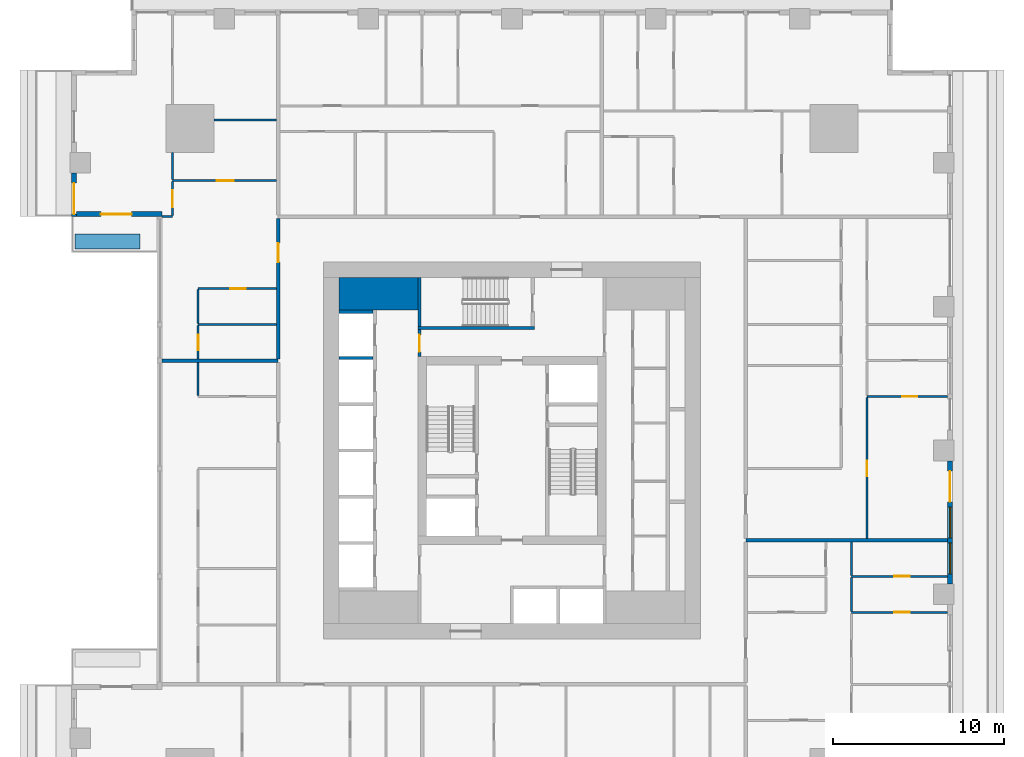
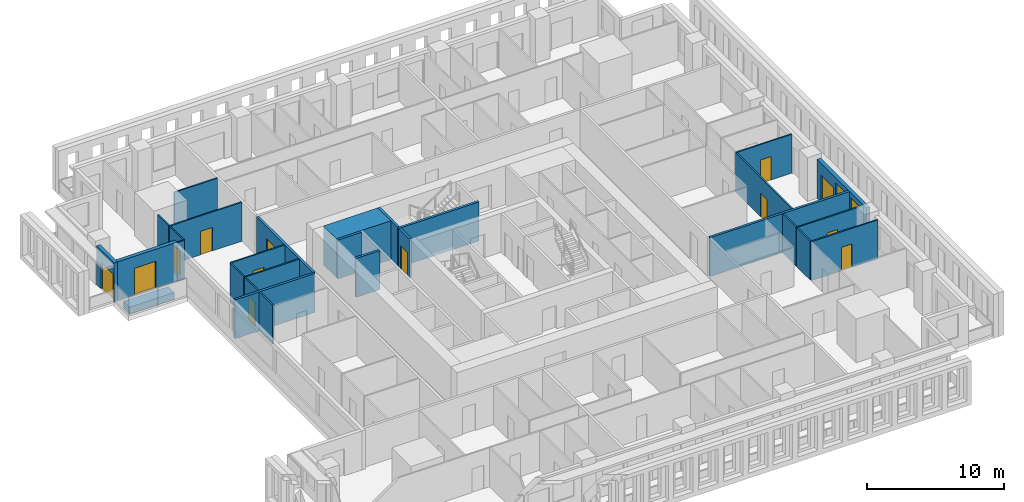
# One storey, part 6 of 15: 29 walls, 13 doors, 2 windows, 15 openings.
"""IFC4 building model written with IfcOpenShell, lengths in metres."""

import ifcopenshell
import ifcopenshell.guid

model = None  # the IFC model being written
_history = None  # IfcOwnerHistory: only IFC2X3 demands one
_inside = {}  # id of a spatial element -> (the spatial element, [elements in it])
_under = {}  # id of a project, library or spatial element -> (it, [spatial elements below it])
_declared = {}  # id of a project -> (the project, [libraries it declares])
_typed = {}  # id of a type object -> (the type object, [elements of that type])
_made_of = {}  # id of a material, layer set ... -> (it, [elements and type objects made of it])


def new_model(schema):
    """Start an empty IFC model of exactly this schema.

    Asked for "IFC4X3", IfcOpenShell would pick the latest addendum, in which some entities
    have other attributes; the version numbers below select the first issue.
    IFC2X3 requires an IfcOwnerHistory on every rooted entity: one is made here for all.
    """
    global model, _history
    if schema == "IFC4X3":
        model = ifcopenshell.file(schema_version=(4, 3, 0, 0))
    else:
        model = ifcopenshell.file(schema=schema)
    _inside.clear()
    _under.clear()
    _declared.clear()
    _typed.clear()
    _made_of.clear()
    _history = None
    if model.schema == "IFC2X3":
        org = make("IfcOrganization", Name="unknown")
        user = make(
            "IfcPersonAndOrganization",
            ThePerson=make("IfcPerson", FamilyName="unknown"),
            TheOrganization=org,
        )
        app = make(
            "IfcApplication",
            ApplicationDeveloper=org,
            Version="unknown",
            ApplicationFullName="unknown",
            ApplicationIdentifier="unknown",
        )
        _history = make(
            "IfcOwnerHistory",
            OwningUser=user,
            OwningApplication=app,
            ChangeAction="ADDED",
            CreationDate=0,
        )
    return model


def make(cls, **values):
    """One entity of the class cls with the attributes given. An attribute that is None is left unset."""
    return model.create_entity(
        cls, **{name: value for name, value in values.items() if value is not None}
    )


def rooted(cls, **values):
    """An entity with a GlobalId (a new one), such as an element, a storey or a relation."""
    return make(cls, GlobalId=ifcopenshell.guid.new(), OwnerHistory=_history, **values)


def si_unit(unit_type, name, prefix=None):
    """IfcSIUnit, for example si_unit("LENGTHUNIT", "METRE", prefix="MILLI")."""
    return make("IfcSIUnit", UnitType=unit_type, Prefix=prefix, Name=name)


def assignment(units):
    """IfcUnitAssignment: the units of a project."""
    return None if units is None else make("IfcUnitAssignment", Units=units)


def point(xyz):
    """IfcCartesianPoint."""
    return None if xyz is None else make("IfcCartesianPoint", Coordinates=xyz)


def direction(xyz):
    """IfcDirection."""
    return None if xyz is None else make("IfcDirection", DirectionRatios=xyz)


def frame(location, z_axis=None, x_axis=None):
    """IfcAxis2Placement3D, a coordinate frame: its origin and axes. An axis left out is left unset."""
    return make(
        "IfcAxis2Placement3D",
        Location=point(location),
        Axis=direction(z_axis),
        RefDirection=direction(x_axis),
    )


def frame_2d(location, x_axis=None):
    """IfcAxis2Placement2D, a coordinate frame in the plane: its origin and x axis."""
    return make(
        "IfcAxis2Placement2D", Location=point(location), RefDirection=direction(x_axis)
    )


def origin():
    """The frame at (0, 0, 0) with its axes left unset."""
    return frame((0.0, 0.0, 0.0))


def place(relative_to, where):
    """IfcLocalPlacement: puts the frame where relative to a parent placement (None: the world)."""
    return make(
        "IfcLocalPlacement", PlacementRelTo=relative_to, RelativePlacement=where
    )


def context(
    kind, dimensions, precision=None, world=None, true_north=None, identifier=None
):
    """IfcGeometricRepresentationContext, for example the 3D "Model" context."""
    return make(
        "IfcGeometricRepresentationContext",
        ContextIdentifier=identifier,
        ContextType=kind,
        CoordinateSpaceDimension=dimensions,
        Precision=precision,
        WorldCoordinateSystem=world,
        TrueNorth=true_north,
    )


def subcontext(parent, identifier, kind, view, scale=None):
    """IfcGeometricRepresentationSubContext, for example "Body" below "Model"."""
    return make(
        "IfcGeometricRepresentationSubContext",
        ContextIdentifier=identifier,
        ContextType=kind,
        ParentContext=parent,
        TargetScale=scale,
        TargetView=view,
    )


def project(units=None, contexts=None):
    """IfcProject with its units and contexts."""
    return rooted(
        "IfcProject",
        Name="project",
        RepresentationContexts=contexts,
        UnitsInContext=assignment(units),
    )


def spatial(cls, under=None, at=None, **own):
    """A site, building, storey or space (cls), placed at a placement, below another one or the project."""
    s = rooted(cls, ObjectPlacement=at, **own)
    if under is not None:
        _under.setdefault(under.id(), (under, []))[1].append(s)
    return s


def profile(cls, at=None, kind="AREA", **sizes):
    """A parametric profile (cls). Its sizes go by their IFC names, for example OverallWidth=200.0."""
    return make(cls, ProfileType=kind, Position=at, **sizes)


def rectangle(**sizes):
    """IfcRectangleProfileDef."""
    return profile("IfcRectangleProfileDef", **sizes)


def extrude(swept, where, along, depth):
    """IfcExtrudedAreaSolid: the profile swept, set in the frame where, extruded along a direction by depth."""
    return make(
        "IfcExtrudedAreaSolid",
        SweptArea=swept,
        Position=where,
        ExtrudedDirection=direction(along),
        Depth=depth,
    )


def shape(context_of_items, identifier, shape_type, items):
    """IfcShapeRepresentation: the items that make up one representation, for example the "Body"."""
    return make(
        "IfcShapeRepresentation",
        ContextOfItems=context_of_items,
        RepresentationIdentifier=identifier,
        RepresentationType=shape_type,
        Items=items,
    )


def material(Name=None, Category=None):
    """IfcMaterial."""
    return make("IfcMaterial", Name=Name, Category=Category)


def layer(
    of_material, thickness, ventilated=None, Name=None, Category=None, Priority=None
):
    """IfcMaterialLayer: one layer of a wall or slab, of a material (None: an air gap)."""
    return make(
        "IfcMaterialLayer",
        Material=of_material,
        LayerThickness=thickness,
        IsVentilated=ventilated,
        Name=Name,
        Category=Category,
        Priority=Priority,
    )


def layer_set(layers, Name=None):
    """IfcMaterialLayerSet."""
    return make("IfcMaterialLayerSet", MaterialLayers=layers, LayerSetName=Name)


def made_of(thing, what):
    """Note that an element or type object is made of a material, layer set ...; save() writes the relation."""
    if what is not None:
        _made_of.setdefault(what.id(), (what, []))[1].append(thing)
    return thing


def type_object(cls, material=None, **own):
    """A type object (cls), such as IfcWallType, which elements share."""
    return made_of(rooted(cls, **own), material)


def element(
    cls,
    number,
    at=None,
    inside=None,
    cuts=None,
    type_object=None,
    material=None,
    context=None,
    identifier="Body",
    shape_type=None,
    held_by="IfcProductDefinitionShape",
    body=None,
    shapes=None,
    **own,
):
    """One element of the class cls, such as IfcWall. Its Tag is "e" and its number.

    at: its placement. inside: the storey or other place that contains it. cuts: it is an
    opening in that element (IfcRelVoidsElement). A single representation is given by context,
    identifier, shape_type and body (its items); several are given by shapes. held_by: the class
    of the entity that holds the representations. save() writes the other relations.
    """
    e = rooted(cls, Tag="e%d" % number, ObjectPlacement=at, **own)
    if body is not None:
        shapes = [shape(context, identifier, shape_type, body)]
    if shapes is not None:
        e.Representation = make(held_by, Representations=shapes)
    if inside is not None:
        _inside.setdefault(inside.id(), (inside, []))[1].append(e)
    if cuts is not None:
        rooted(
            "IfcRelVoidsElement", RelatingBuildingElement=cuts, RelatedOpeningElement=e
        )
    if type_object is not None:
        _typed.setdefault(type_object.id(), (type_object, []))[1].append(e)
    return made_of(e, material)


def fill(opening, filler):
    """IfcRelFillsElement: the door or window that sits in an opening."""
    return rooted(
        "IfcRelFillsElement",
        RelatingOpeningElement=opening,
        RelatedBuildingElement=filler,
    )


def aggregate(whole, parts):
    """IfcRelAggregates: a whole, such as a stair, and the parts it consists of."""
    return rooted("IfcRelAggregates", RelatingObject=whole, RelatedObjects=parts)


def save(model, path):
    """Write the relations noted so far, then the file.

    IfcRelAggregates (storeys below a building ...), IfcRelContainedInSpatialStructure (elements
    in a storey), IfcRelDefinesByType, IfcRelAssociatesMaterial and IfcRelDeclares: one each for
    every whole, place, type object, material and project.
    """
    for whole, parts in _under.values():
        aggregate(whole, parts)
    for where, things in _inside.values():
        rooted(
            "IfcRelContainedInSpatialStructure",
            RelatedElements=things,
            RelatingStructure=where,
        )
    for kind, things in _typed.values():
        rooted("IfcRelDefinesByType", RelatedObjects=things, RelatingType=kind)
    for what, things in _made_of.values():
        rooted("IfcRelAssociatesMaterial", RelatedObjects=things, RelatingMaterial=what)
    for by, libraries in _declared.values():
        rooted("IfcRelDeclares", RelatingContext=by, RelatedDefinitions=libraries)
    model.write(path)


model = new_model("IFC4")

# Units and contexts
model_context = context("Model", 3, precision=1e-05, world=origin(), true_north=direction((0.0, 1.0)))
body_context = subcontext(model_context, "Body", "Model", "MODEL_VIEW")
ifc_project = project(units=[si_unit("LENGTHUNIT", "METRE"), si_unit("AREAUNIT", "SQUARE_METRE"), si_unit("VOLUMEUNIT", "CUBIC_METRE"), si_unit("PLANEANGLEUNIT", "RADIAN"), si_unit("MASSUNIT", "GRAM", prefix="KILO")], contexts=[model_context])

# Site, building, storey
site_placement = place(None, origin())
site = spatial("IfcSite", under=ifc_project, at=site_placement, CompositionType="ELEMENT")
building_placement = place(site_placement, origin())
building = spatial("IfcBuilding", under=site, at=building_placement, Name="Khepri Terraces", CompositionType="ELEMENT")
storey_placement = place(building_placement, frame((0.0, 0.0, 118.199951171875)))
storey = spatial("IfcBuildingStorey", under=building, at=storey_placement, Name="L28", CompositionType="ELEMENT", Elevation=118.199951171875)

# Walls
ifc_material_1 = material(Name="Concrete C70/85", Category="concrete")
ifc_layer_1 = layer(ifc_material_1, 1.89990234375, Name="Concrete C70/85", Category="concrete")
ifc_layer_set_1 = layer_set([ifc_layer_1], Name="Concrete C70/85")
wall_type_1 = type_object("IfcWallType", Name="Core wall 1900 C70/85", PredefinedType="SHEAR", material=ifc_layer_set_1)
wall_1_placement = place(storey_placement, frame((-10.10009765625, 9.14990234375, 0.0), z_axis=(0.0, 0.0, 1.0), x_axis=(1.0, 0.0, 0.0)))
element("IfcWall", 1, at=wall_1_placement, inside=storey, type_object=wall_type_1, Name="Core wall PR03 L28", PredefinedType="SHEAR", context=body_context, shape_type="SweptSolid", body=[
    extrude(rectangle(XDim=4.60009765625, YDim=1.89990234375, at=frame_2d((2.300048828125, 0.0))), origin(), (0.0, 0.0, 1.0), 3.47998046875),
])
ifc_layer_2 = layer(ifc_material_1, 0.199951171875, Name="Concrete C70/85", Category="concrete")
ifc_layer_set_2 = layer_set([ifc_layer_2], Name="Concrete C70/85")
wall_type_2 = type_object("IfcWallType", Name="Core wall 200 C70/85", PredefinedType="SHEAR", material=ifc_layer_set_2)
wall_2_placement = place(storey_placement, frame((-5.5, 7.14990234375, 0.0), z_axis=(0.0, 0.0, 1.0), x_axis=(1.0, 0.0, 0.0)))
element("IfcWall", 2, at=wall_2_placement, inside=storey, type_object=wall_type_2, Name="Core wall ST05 L28", PredefinedType="SHEAR", context=body_context, shape_type="SweptSolid", body=[
    extrude(rectangle(XDim=6.800048828125, YDim=0.199951171875, at=frame_2d((3.39990234375, 0.0))), origin(), (0.0, 0.0, 1.0), 3.47998046875),
])
wall_3_placement = place(storey_placement, frame((-5.39990234375, 7.25, 0.0), z_axis=(0.0, 0.0, 1.0), x_axis=(0.0, 1.0, 0.0)))
element("IfcWall", 3, at=wall_3_placement, inside=storey, type_object=wall_type_2, Name="Core wall ST06 L28", PredefinedType="SHEAR", context=body_context, shape_type="SweptSolid", body=[
    extrude(rectangle(XDim=2.85009765625, YDim=0.199951171875, at=frame_2d((1.425048828125, 0.0))), origin(), (0.0, 0.0, 1.0), 3.47998046875),
])
for number, where, z_axis, x_axis, name in (
    (4, (-10.10009765625, 5.39990234375, 0.0), (0.0, 0.0, 1.0), (1.0, 0.0, 0.0), "Core wall SH19 L28"),
    (5, (-10.10009765625, 8.10009765625, 0.0), (0.0, 0.0, 1.0), (1.0, 0.0, 0.0), "Core wall SH20 L28"),
):
    element("IfcWall", number, at=place(storey_placement, frame(where, z_axis=z_axis, x_axis=x_axis)), inside=storey, type_object=wall_type_2, Name=name, PredefinedType="SHEAR", context=body_context, shape_type="SweptSolid", body=[
        extrude(rectangle(XDim=2.0, YDim=0.199951171875, at=frame_2d((1.0, 0.0))), origin(), (0.0, 0.0, 1.0), 3.47998046875),
    ])

# Wall, opening, door
ifc_material_2 = material(Name="Fire-rated gypsum board partition")
ifc_layer_3 = layer(ifc_material_2, 0.199951171875, Name="Fire-rated gypsum board partition")
ifc_layer_set_3 = layer_set([ifc_layer_3], Name="Fire-rated gypsum board partition")
wall_type_3 = type_object("IfcWallType", Name="WL-CORE-PART-200", PredefinedType="PARTITIONING", material=ifc_layer_set_3)
wall_4_placement = place(storey_placement, frame((-5.39990234375, 5.5, 0.0), z_axis=(0.0, 0.0, 1.0), x_axis=(0.0, 1.0, 0.0)))
wall_4 = element("IfcWall", 6, at=wall_4_placement, inside=storey, type_object=wall_type_3, Name="Core partition PT08 L28", PredefinedType="PARTITIONING", context=body_context, shape_type="SweptSolid", body=[
    extrude(rectangle(XDim=1.550048828125, YDim=0.199951171875, at=frame_2d((0.77490234375, 0.0))), origin(), (0.0, 0.0, 1.0), 3.47998046875),
])
opening_1_placement = place(wall_4_placement, frame((0.25, 0.0, 0.0)))
opening_1 = element("IfcOpeningElement", 7, at=opening_1_placement, cuts=wall_4, Name="Opening L28-C16", PredefinedType="OPENING", context=body_context, shape_type="SweptSolid", body=[
    extrude(rectangle(XDim=1.0, YDim=2.10009765625, at=frame_2d((0.5, 1.050048828125))), frame((0.0, 0.10986328125, 0.0), z_axis=(0.0, -1.0, 0.0), x_axis=(1.0, 0.0, 0.0)), (0.0, 0.0, 1.0), 0.219970703125),
])
ifc_material_3 = material(Name="Painted steel", Category="steel")
door_type_1 = type_object("IfcDoorType", Name="DR-CORE-LOBBY-1000", OperationType="NOTDEFINED", PredefinedType="DOOR", material=ifc_material_3)
door_1_placement = place(opening_1_placement, frame((1.0, 0.0, 0.0), z_axis=(0.0, 0.0, 1.0), x_axis=(-1.0, 0.0, 0.0)))
door_1 = element("IfcDoor", 8, at=door_1_placement, inside=storey, type_object=door_type_1, Name="Lobby door L28-C16", OperationType="SINGLE_SWING_RIGHT", OverallHeight=2.10009765625, OverallWidth=1.0, PredefinedType="DOOR", context=body_context, shape_type="SweptSolid", body=[
    extrude(rectangle(XDim=1.0, YDim=2.10009765625, at=frame_2d((0.5, 1.050048828125))), frame((0.0, 0.02490234375, 0.0), z_axis=(0.0, -1.0, 0.0), x_axis=(1.0, 0.0, 0.0)), (0.0, 0.0, 1.0), 0.050048828125),
])
fill(opening_1, door_1)

# Walls
ifc_material_4 = material(Name="Fire-rated gypsum plasterboard partition, mineral wool")
ifc_layer_4 = layer(ifc_material_4, 0.199951171875, Name="Fire-rated gypsum plasterboard partition, mineral wool")
ifc_layer_set_4 = layer_set([ifc_layer_4], Name="Fire-rated gypsum plasterboard partition, mineral wool")
wall_type_4 = type_object("IfcWallType", Name="WL-CORR-200", PredefinedType="PARTITIONING", material=ifc_layer_set_4)
wall_5_placement = place(storey_placement, frame((13.64990234375, -5.25, 0.0), z_axis=(0.0, 0.0, 1.0), x_axis=(1.0, 0.0, 0.0)))
element("IfcWall", 9, at=wall_5_placement, inside=storey, type_object=wall_type_4, Name="Partition P-043 L28", PredefinedType="PARTITIONING", context=body_context, shape_type="SweptSolid", body=[
    extrude(rectangle(XDim=11.77001953125, YDim=0.199951171875, at=frame_2d((5.885009765625, 0.0))), origin(), (0.0, 0.0, 1.0), 3.47998046875),
])
wall_6_placement = place(storey_placement, frame((-20.419921875, 5.25, 0.0), z_axis=(0.0, 0.0, 1.0), x_axis=(1.0, 0.0, 0.0)))
element("IfcWall", 10, at=wall_6_placement, inside=storey, type_object=wall_type_4, Name="Partition P-055 L28", PredefinedType="PARTITIONING", context=body_context, shape_type="SweptSolid", body=[
    extrude(rectangle(XDim=6.77001953125, YDim=0.199951171875, at=frame_2d((3.385009765625, 0.0))), origin(), (0.0, 0.0, 1.0), 3.47998046875),
])

# Wall, opening, door
wall_7_placement = place(storey_placement, frame((-13.64990234375, 5.35009765625, 0.0), z_axis=(0.0, 0.0, 1.0), x_axis=(0.0, 1.0, 0.0)))
wall_7 = element("IfcWall", 11, at=wall_7_placement, inside=storey, type_object=wall_type_4, Name="Partition P-059 L28", PredefinedType="PARTITIONING", context=body_context, shape_type="SweptSolid", body=[
    extrude(rectangle(XDim=8.199951171875, YDim=0.199951171875, at=frame_2d((4.10009765625, 0.0))), origin(), (0.0, 0.0, 1.0), 3.47998046875),
])
opening_2_placement = place(wall_7_placement, frame((5.64990234375, 0.0, 0.0)))
opening_2 = element("IfcOpeningElement", 12, at=opening_2_placement, cuts=wall_7, Name="Opening D1", PredefinedType="OPENING", context=body_context, shape_type="SweptSolid", body=[
    extrude(rectangle(XDim=1.10009765625, YDim=2.39990234375, at=frame_2d((0.550048828125, 1.199951171875))), frame((0.0, 0.10986328125, 0.0), z_axis=(0.0, -1.0, 0.0), x_axis=(1.0, 0.0, 0.0)), (0.0, 0.0, 1.0), 0.219970703125),
])
ifc_material_5 = material(Name="Solid-core timber door leaf, flat entrance door", Category="wood")
door_type_2 = type_object("IfcDoorType", Name="DR-ENT-1100", OperationType="NOTDEFINED", PredefinedType="DOOR", material=ifc_material_5)
door_2_placement = place(opening_2_placement, origin())
door_2 = element("IfcDoor", 13, at=door_2_placement, inside=storey, type_object=door_type_2, Name="Flat D1 entrance door", OperationType="SINGLE_SWING_RIGHT", OverallHeight=2.39990234375, OverallWidth=1.10009765625, PredefinedType="DOOR", context=body_context, shape_type="SweptSolid", body=[
    extrude(rectangle(XDim=1.10009765625, YDim=2.39990234375, at=frame_2d((0.550048828125, 1.199951171875))), frame((0.0, 0.02490234375, 0.0), z_axis=(0.0, -1.0, 0.0), x_axis=(1.0, 0.0, 0.0)), (0.0, 0.0, 1.0), 0.050048828125),
])
fill(opening_2, door_2)

# Wall, openings, door, windows
ifc_material_6 = material(Name="Precast concrete C50/60 warm stone", Category="masonry")
ifc_layer_5 = layer(ifc_material_6, 0.300048828125, Name="Precast concrete C50/60 warm stone", Category="masonry")
ifc_layer_set_5 = layer_set([ifc_layer_5], Name="Precast concrete C50/60 warm stone")
wall_type_5 = type_object("IfcWallType", Name="WL-EXT-PRECAST-300", PredefinedType="STANDARD", material=ifc_layer_set_5)
wall_8_placement = place(storey_placement, frame((25.570068359375, -7.800048828125, 0.0), z_axis=(0.0, 0.0, 1.0), x_axis=(0.0, 1.0, 0.0)))
wall_8 = element("IfcWall", 14, at=wall_8_placement, inside=storey, type_object=wall_type_5, Name="External wall L28 E", PredefinedType="STANDARD", context=body_context, shape_type="SweptSolid", body=[
    extrude(rectangle(XDim=7.199951171875, YDim=0.300048828125, at=frame_2d((3.60009765625, 0.0))), origin(), (0.0, 0.0, 1.0), 3.47998046875),
])
opening_3_placement = place(wall_8_placement, frame((0.60009765625, 0.0, 0.89990234375)))
opening_3 = element("IfcOpeningElement", 15, at=opening_3_placement, cuts=wall_8, Name="Opening W1", PredefinedType="OPENING", context=body_context, shape_type="SweptSolid", body=[
    extrude(rectangle(XDim=1.800048828125, YDim=2.10009765625, at=frame_2d((0.89990234375, 1.050048828125))), frame((0.0, 0.16015625, 0.0), z_axis=(0.0, -1.0, 0.0), x_axis=(1.0, 0.0, 0.0)), (0.0, 0.0, 1.0), 0.320068359375),
])
opening_4_placement = place(wall_8_placement, frame((2.699951171875, 0.0, 0.89990234375)))
opening_4 = element("IfcOpeningElement", 16, at=opening_4_placement, cuts=wall_8, Name="Opening W1", PredefinedType="OPENING", context=body_context, shape_type="SweptSolid", body=[
    extrude(rectangle(XDim=1.800048828125, YDim=2.10009765625, at=frame_2d((0.89990234375, 1.050048828125))), frame((0.0, 0.16015625, 0.0), z_axis=(0.0, -1.0, 0.0), x_axis=(1.0, 0.0, 0.0)), (0.0, 0.0, 1.0), 0.320068359375),
])
opening_5_placement = place(wall_8_placement, frame((4.800048828125, 0.0, 0.0)))
opening_5 = element("IfcOpeningElement", 17, at=opening_5_placement, cuts=wall_8, Name="Opening ED-L28-04", PredefinedType="OPENING", context=body_context, shape_type="SweptSolid", body=[
    extrude(rectangle(XDim=1.800048828125, YDim=2.39990234375, at=frame_2d((0.89990234375, 1.199951171875))), frame((0.0, 0.16015625, 0.0), z_axis=(0.0, -1.0, 0.0), x_axis=(1.0, 0.0, 0.0)), (0.0, 0.0, 1.0), 0.320068359375),
])
ifc_material_7 = material(Name="Anodised aluminium bronze glazed door", Category="aluminium")
door_type_3 = type_object("IfcDoorType", Name="DR-BAL-SLIDE-1800x2400", OperationType="NOTDEFINED", PredefinedType="DOOR", material=ifc_material_7)
door_3_placement = place(opening_5_placement, origin())
door_3 = element("IfcDoor", 18, at=door_3_placement, inside=storey, type_object=door_type_3, Name="Balcony door L28 E", OperationType="SLIDING_TO_RIGHT", OverallHeight=2.39990234375, OverallWidth=1.800048828125, PredefinedType="DOOR", context=body_context, shape_type="SweptSolid", body=[
    extrude(rectangle(XDim=1.800048828125, YDim=2.39990234375, at=frame_2d((0.89990234375, 1.199951171875))), frame((0.0, 0.02490234375, 0.0), z_axis=(0.0, -1.0, 0.0), x_axis=(1.0, 0.0, 0.0)), (0.0, 0.0, 1.0), 0.050048828125),
])
fill(opening_5, door_3)
ifc_material_8 = material(Name="Clear glass", Category="glass")
window_type = type_object("IfcWindowType", Name="WIN-RES-1800x2100", PartitioningType="SINGLE_PANEL", PredefinedType="WINDOW", material=ifc_material_8)
window_1_placement = place(opening_3_placement, origin())
window_1 = element("IfcWindow", 19, at=window_1_placement, inside=storey, type_object=window_type, Name="Window L28 E", OverallHeight=2.10009765625, OverallWidth=1.800048828125, PartitioningType="SINGLE_PANEL", PredefinedType="WINDOW", context=body_context, shape_type="SweptSolid", body=[
    extrude(rectangle(XDim=1.800048828125, YDim=2.10009765625, at=frame_2d((0.89990234375, 1.050048828125))), frame((0.0, 0.030029296875, 0.0), z_axis=(0.0, -1.0, 0.0), x_axis=(1.0, 0.0, 0.0)), (0.0, 0.0, 1.0), 0.06005859375),
])
fill(opening_3, window_1)
window_2_placement = place(opening_4_placement, origin())
window_2 = element("IfcWindow", 20, at=window_2_placement, inside=storey, type_object=window_type, Name="Window L28 E", OverallHeight=2.10009765625, OverallWidth=1.800048828125, PartitioningType="SINGLE_PANEL", PredefinedType="WINDOW", context=body_context, shape_type="SweptSolid", body=[
    extrude(rectangle(XDim=1.800048828125, YDim=2.10009765625, at=frame_2d((0.89990234375, 1.050048828125))), frame((0.0, 0.030029296875, 0.0), z_axis=(0.0, -1.0, 0.0), x_axis=(1.0, 0.0, 0.0)), (0.0, 0.0, 1.0), 0.06005859375),
])
fill(opening_4, window_2)

# Wall, opening, door
wall_9_placement = place(storey_placement, frame((-25.570068359375, 16.199951171875, 0.0), z_axis=(0.0, 0.0, 1.0), x_axis=(0.0, -1.0, 0.0)))
wall_9 = element("IfcWall", 21, at=wall_9_placement, inside=storey, type_object=wall_type_5, Name="External wall L28 W", PredefinedType="STANDARD", context=body_context, shape_type="SweptSolid", body=[
    extrude(rectangle(XDim=2.550048828125, YDim=0.300048828125, at=frame_2d((1.27490234375, 0.0))), origin(), (0.0, 0.0, 1.0), 3.47998046875),
])
opening_6_placement = place(wall_9_placement, frame((0.60009765625, 0.0, 0.0)))
opening_6 = element("IfcOpeningElement", 22, at=opening_6_placement, cuts=wall_9, Name="Opening ED-L28-16", PredefinedType="OPENING", context=body_context, shape_type="SweptSolid", body=[
    extrude(rectangle(XDim=1.800048828125, YDim=2.39990234375, at=frame_2d((0.89990234375, 1.199951171875))), frame((0.0, 0.16015625, 0.0), z_axis=(0.0, -1.0, 0.0), x_axis=(1.0, 0.0, 0.0)), (0.0, 0.0, 1.0), 0.320068359375),
])
door_4_placement = place(opening_6_placement, origin())
door_4 = element("IfcDoor", 23, at=door_4_placement, inside=storey, type_object=door_type_3, Name="Balcony door L28 W", OperationType="SLIDING_TO_LEFT", OverallHeight=2.39990234375, OverallWidth=1.800048828125, PredefinedType="DOOR", context=body_context, shape_type="SweptSolid", body=[
    extrude(rectangle(XDim=1.800048828125, YDim=2.39990234375, at=frame_2d((0.89990234375, 1.199951171875))), frame((0.0, 0.02490234375, 0.0), z_axis=(0.0, -1.0, 0.0), x_axis=(1.0, 0.0, 0.0)), (0.0, 0.0, 1.0), 0.050048828125),
])
fill(opening_6, door_4)

wall_10_placement = place(storey_placement, frame((-25.419921875, 13.800048828125, 0.0), z_axis=(0.0, 0.0, 1.0), x_axis=(1.0, 0.0, 0.0)))
wall_10 = element("IfcWall", 24, at=wall_10_placement, inside=storey, type_object=wall_type_5, Name="External wall L28 S", PredefinedType="STANDARD", context=body_context, shape_type="SweptSolid", body=[
    extrude(rectangle(XDim=5.0, YDim=0.300048828125, at=frame_2d((2.5, 0.0))), origin(), (0.0, 0.0, 1.0), 3.47998046875),
])
opening_7_placement = place(wall_10_placement, frame((1.419921875, 0.0, 0.0)))
opening_7 = element("IfcOpeningElement", 25, at=opening_7_placement, cuts=wall_10, Name="Opening ED-L28-17", PredefinedType="OPENING", context=body_context, shape_type="SweptSolid", body=[
    extrude(rectangle(XDim=1.800048828125, YDim=2.39990234375, at=frame_2d((0.89990234375, 1.199951171875))), frame((0.0, 0.16015625, 0.0), z_axis=(0.0, -1.0, 0.0), x_axis=(1.0, 0.0, 0.0)), (0.0, 0.0, 1.0), 0.320068359375),
])
door_5_placement = place(opening_7_placement, origin())
door_5 = element("IfcDoor", 26, at=door_5_placement, inside=storey, type_object=door_type_3, Name="Balcony door L28 S", OperationType="SLIDING_TO_LEFT", OverallHeight=2.39990234375, OverallWidth=1.800048828125, PredefinedType="DOOR", context=body_context, shape_type="SweptSolid", body=[
    extrude(rectangle(XDim=1.800048828125, YDim=2.39990234375, at=frame_2d((0.89990234375, 1.199951171875))), frame((0.0, 0.02490234375, 0.0), z_axis=(0.0, -1.0, 0.0), x_axis=(1.0, 0.0, 0.0)), (0.0, 0.0, 1.0), 0.050048828125),
])
fill(opening_7, door_5)

ifc_material_9 = material(Name="Gypsum plasterboard partition")
ifc_layer_6 = layer(ifc_material_9, 0.1201171875, Name="Gypsum plasterboard partition")
ifc_layer_set_6 = layer_set([ifc_layer_6], Name="Gypsum plasterboard partition")
wall_type_6 = type_object("IfcWallType", Name="WL-PART-120", PredefinedType="PARTITIONING", material=ifc_layer_set_6)
wall_11_placement = place(storey_placement, frame((19.820068359375, -9.449951171875, 0.0), z_axis=(0.0, 0.0, 1.0), x_axis=(1.0, 0.0, 0.0)))
wall_11 = element("IfcWall", 27, at=wall_11_placement, inside=storey, type_object=wall_type_6, Name="Partition P-034 L28", PredefinedType="PARTITIONING", context=body_context, shape_type="SweptSolid", body=[
    extrude(rectangle(XDim=5.599853515625, YDim=0.1201171875, at=frame_2d((2.7998046875, 0.0))), origin(), (0.0, 0.0, 1.0), 3.47998046875),
])
opening_8_placement = place(wall_11_placement, frame((2.5, 0.0, 0.0)))
opening_8 = element("IfcOpeningElement", 28, at=opening_8_placement, cuts=wall_11, Name="Opening D3", PredefinedType="OPENING", context=body_context, shape_type="SweptSolid", body=[
    extrude(rectangle(XDim=0.89990234375, YDim=2.10009765625, at=frame_2d((0.449951171875, 1.050048828125))), frame((0.0, 0.070068359375, 0.0), z_axis=(0.0, -1.0, 0.0), x_axis=(1.0, 0.0, 0.0)), (0.0, 0.0, 1.0), 0.14013671875),
])
ifc_material_10 = material(Name="Timber door leaf", Category="wood")
door_type_4 = type_object("IfcDoorType", Name="DR-INT-900", OperationType="NOTDEFINED", PredefinedType="DOOR", material=ifc_material_10)
door_6_placement = place(opening_8_placement, origin())
door_6 = element("IfcDoor", 29, at=door_6_placement, inside=storey, type_object=door_type_4, Name="Door Dressing Room", OperationType="SINGLE_SWING_RIGHT", OverallHeight=2.10009765625, OverallWidth=0.89990234375, PredefinedType="DOOR", context=body_context, shape_type="SweptSolid", body=[
    extrude(rectangle(XDim=0.89990234375, YDim=2.10009765625, at=frame_2d((0.449951171875, 1.050048828125))), frame((0.0, 0.02490234375, 0.0), z_axis=(0.0, -1.0, 0.0), x_axis=(1.0, 0.0, 0.0)), (0.0, 0.0, 1.0), 0.050048828125),
])
fill(opening_8, door_6)

# Wall
wall_12_placement = place(storey_placement, frame((19.820068359375, -9.389892578125, 0.0), z_axis=(0.0, 0.0, 1.0), x_axis=(0.0, 1.0, 0.0)))
element("IfcWall", 30, at=wall_12_placement, inside=storey, type_object=wall_type_6, Name="Partition P-036 L28", PredefinedType="PARTITIONING", context=body_context, shape_type="SweptSolid", body=[
    extrude(rectangle(XDim=1.97998046875, YDim=0.1201171875, at=frame_2d((0.989990234375, 0.0))), origin(), (0.0, 0.0, 1.0), 3.47998046875),
])

# Wall, opening, door
wall_13_placement = place(storey_placement, frame((19.820068359375, -7.35009765625, 0.0), z_axis=(0.0, 0.0, 1.0), x_axis=(1.0, 0.0, 0.0)))
wall_13 = element("IfcWall", 31, at=wall_13_placement, inside=storey, type_object=wall_type_6, Name="Partition P-038 L28", PredefinedType="PARTITIONING", context=body_context, shape_type="SweptSolid", body=[
    extrude(rectangle(XDim=5.599853515625, YDim=0.1201171875, at=frame_2d((2.7998046875, 0.0))), origin(), (0.0, 0.0, 1.0), 3.47998046875),
])
opening_9_placement = place(wall_13_placement, frame((2.5, 0.0, 0.0)))
opening_9 = element("IfcOpeningElement", 32, at=opening_9_placement, cuts=wall_13, Name="Opening D4", PredefinedType="OPENING", context=body_context, shape_type="SweptSolid", body=[
    extrude(rectangle(XDim=0.89990234375, YDim=2.10009765625, at=frame_2d((0.449951171875, 1.050048828125))), frame((0.0, 0.070068359375, 0.0), z_axis=(0.0, -1.0, 0.0), x_axis=(1.0, 0.0, 0.0)), (0.0, 0.0, 1.0), 0.14013671875),
])
ifc_material_11 = material(Name="Timber door leaf, moisture resistant", Category="wood")
door_type_5 = type_object("IfcDoorType", Name="DR-WET-900", OperationType="NOTDEFINED", PredefinedType="DOOR", material=ifc_material_11)
door_7_placement = place(opening_9_placement, origin())
door_7 = element("IfcDoor", 33, at=door_7_placement, inside=storey, type_object=door_type_5, Name="Door Bathroom", OperationType="SINGLE_SWING_RIGHT", OverallHeight=2.10009765625, OverallWidth=0.89990234375, PredefinedType="DOOR", context=body_context, shape_type="SweptSolid", body=[
    extrude(rectangle(XDim=0.89990234375, YDim=2.10009765625, at=frame_2d((0.449951171875, 1.050048828125))), frame((0.0, 0.02490234375, 0.0), z_axis=(0.0, -1.0, 0.0), x_axis=(1.0, 0.0, 0.0)), (0.0, 0.0, 1.0), 0.050048828125),
])
fill(opening_9, door_7)

# Wall
wall_14_placement = place(storey_placement, frame((19.820068359375, -7.2900390625, 0.0), z_axis=(0.0, 0.0, 1.0), x_axis=(0.0, 1.0, 0.0)))
element("IfcWall", 34, at=wall_14_placement, inside=storey, type_object=wall_type_6, Name="Partition P-040 L28", PredefinedType="PARTITIONING", context=body_context, shape_type="SweptSolid", body=[
    extrude(rectangle(XDim=1.93994140625, YDim=0.1201171875, at=frame_2d((0.969970703125, 0.0))), origin(), (0.0, 0.0, 1.0), 3.47998046875),
])

# Wall, opening, door
wall_15_placement = place(storey_placement, frame((20.719970703125, -5.14990234375, 0.0), z_axis=(0.0, 0.0, 1.0), x_axis=(0.0, 1.0, 0.0)))
wall_15 = element("IfcWall", 35, at=wall_15_placement, inside=storey, type_object=wall_type_6, Name="Partition P-045 L28", PredefinedType="PARTITIONING", context=body_context, shape_type="SweptSolid", body=[
    extrude(rectangle(XDim=8.239990234375, YDim=0.1201171875, at=frame_2d((4.1201171875, 0.0))), origin(), (0.0, 0.0, 1.0), 3.47998046875),
])
opening_10_placement = place(wall_15_placement, frame((3.64990234375, 0.0, 0.0)))
opening_10 = element("IfcOpeningElement", 36, at=opening_10_placement, cuts=wall_15, Name="Opening D3", PredefinedType="OPENING", context=body_context, shape_type="SweptSolid", body=[
    extrude(rectangle(XDim=0.89990234375, YDim=2.10009765625, at=frame_2d((0.449951171875, 1.050048828125))), frame((0.0, 0.070068359375, 0.0), z_axis=(0.0, -1.0, 0.0), x_axis=(1.0, 0.0, 0.0)), (0.0, 0.0, 1.0), 0.14013671875),
])
door_8_placement = place(opening_10_placement, frame((0.89990234375, 0.0, 0.0), z_axis=(0.0, 0.0, 1.0), x_axis=(-1.0, 0.0, 0.0)))
door_8 = element("IfcDoor", 37, at=door_8_placement, inside=storey, type_object=door_type_4, Name="Door Master Bedroom", OperationType="SINGLE_SWING_RIGHT", OverallHeight=2.10009765625, OverallWidth=0.89990234375, PredefinedType="DOOR", context=body_context, shape_type="SweptSolid", body=[
    extrude(rectangle(XDim=0.89990234375, YDim=2.10009765625, at=frame_2d((0.449951171875, 1.050048828125))), frame((0.0, 0.02490234375, 0.0), z_axis=(0.0, -1.0, 0.0), x_axis=(1.0, 0.0, 0.0)), (0.0, 0.0, 1.0), 0.050048828125),
])
fill(opening_10, door_8)

wall_16_placement = place(storey_placement, frame((20.719970703125, 3.14990234375, 0.0), z_axis=(0.0, 0.0, 1.0), x_axis=(1.0, 0.0, 0.0)))
wall_16 = element("IfcWall", 38, at=wall_16_placement, inside=storey, type_object=wall_type_6, Name="Partition P-050 L28", PredefinedType="PARTITIONING", context=body_context, shape_type="SweptSolid", body=[
    extrude(rectangle(XDim=4.699951171875, YDim=0.1201171875, at=frame_2d((2.35009765625, 0.0))), origin(), (0.0, 0.0, 1.0), 3.47998046875),
])
opening_11_placement = place(wall_16_placement, frame((2.050048828125, 0.0, 0.0)))
opening_11 = element("IfcOpeningElement", 39, at=opening_11_placement, cuts=wall_16, Name="Opening D3", PredefinedType="OPENING", context=body_context, shape_type="SweptSolid", body=[
    extrude(rectangle(XDim=0.89990234375, YDim=2.10009765625, at=frame_2d((0.449951171875, 1.050048828125))), frame((0.0, 0.070068359375, 0.0), z_axis=(0.0, -1.0, 0.0), x_axis=(1.0, 0.0, 0.0)), (0.0, 0.0, 1.0), 0.14013671875),
])
door_9_placement = place(opening_11_placement, origin())
door_9 = element("IfcDoor", 40, at=door_9_placement, inside=storey, type_object=door_type_4, Name="Door Dressing Room", OperationType="SINGLE_SWING_RIGHT", OverallHeight=2.10009765625, OverallWidth=0.89990234375, PredefinedType="DOOR", context=body_context, shape_type="SweptSolid", body=[
    extrude(rectangle(XDim=0.89990234375, YDim=2.10009765625, at=frame_2d((0.449951171875, 1.050048828125))), frame((0.0, 0.02490234375, 0.0), z_axis=(0.0, -1.0, 0.0), x_axis=(1.0, 0.0, 0.0)), (0.0, 0.0, 1.0), 0.050048828125),
])
fill(opening_11, door_9)

# Wall
wall_17_placement = place(storey_placement, frame((-18.320068359375, 3.2099609375, 0.0), z_axis=(0.0, 0.0, 1.0), x_axis=(0.0, 1.0, 0.0)))
element("IfcWall", 41, at=wall_17_placement, inside=storey, type_object=wall_type_6, Name="Partition P-051 L28", PredefinedType="PARTITIONING", context=body_context, shape_type="SweptSolid", body=[
    extrude(rectangle(XDim=1.93994140625, YDim=0.1201171875, at=frame_2d((0.969970703125, 0.0))), origin(), (0.0, 0.0, 1.0), 3.47998046875),
])

# Wall, opening, door
wall_18_placement = place(storey_placement, frame((-18.320068359375, 5.35009765625, 0.0), z_axis=(0.0, 0.0, 1.0), x_axis=(0.0, 1.0, 0.0)))
wall_18 = element("IfcWall", 42, at=wall_18_placement, inside=storey, type_object=wall_type_6, Name="Partition P-058 L28", PredefinedType="PARTITIONING", context=body_context, shape_type="SweptSolid", body=[
    extrude(rectangle(XDim=1.93994140625, YDim=0.1201171875, at=frame_2d((0.969970703125, 0.0))), origin(), (0.0, 0.0, 1.0), 3.47998046875),
])
opening_12_placement = place(wall_18_placement, frame((0.5, 0.0, 0.0)))
opening_12 = element("IfcOpeningElement", 43, at=opening_12_placement, cuts=wall_18, Name="Opening D3", PredefinedType="OPENING", context=body_context, shape_type="SweptSolid", body=[
    extrude(rectangle(XDim=0.89990234375, YDim=2.10009765625, at=frame_2d((0.449951171875, 1.050048828125))), frame((0.0, 0.070068359375, 0.0), z_axis=(0.0, -1.0, 0.0), x_axis=(1.0, 0.0, 0.0)), (0.0, 0.0, 1.0), 0.14013671875),
])
door_10_placement = place(opening_12_placement, frame((0.89990234375, 0.0, 0.0), z_axis=(0.0, 0.0, 1.0), x_axis=(-1.0, 0.0, 0.0)))
door_10 = element("IfcDoor", 44, at=door_10_placement, inside=storey, type_object=door_type_4, Name="Door Kitchen", OperationType="SINGLE_SWING_RIGHT", OverallHeight=2.10009765625, OverallWidth=0.89990234375, PredefinedType="DOOR", context=body_context, shape_type="SweptSolid", body=[
    extrude(rectangle(XDim=0.89990234375, YDim=2.10009765625, at=frame_2d((0.449951171875, 1.050048828125))), frame((0.0, 0.02490234375, 0.0), z_axis=(0.0, -1.0, 0.0), x_axis=(1.0, 0.0, 0.0)), (0.0, 0.0, 1.0), 0.050048828125),
])
fill(opening_12, door_10)

# Walls
wall_19_placement = place(storey_placement, frame((-18.320068359375, 7.35009765625, 0.0), z_axis=(0.0, 0.0, 1.0), x_axis=(1.0, 0.0, 0.0)))
element("IfcWall", 45, at=wall_19_placement, inside=storey, type_object=wall_type_6, Name="Partition P-060 L28", PredefinedType="PARTITIONING", context=body_context, shape_type="SweptSolid", body=[
    extrude(rectangle(XDim=4.570068359375, YDim=0.1201171875, at=frame_2d((2.28515625, 0.0))), origin(), (0.0, 0.0, 1.0), 3.47998046875),
])
wall_20_placement = place(storey_placement, frame((-18.320068359375, 7.409912109375, 0.0), z_axis=(0.0, 0.0, 1.0), x_axis=(0.0, 1.0, 0.0)))
element("IfcWall", 46, at=wall_20_placement, inside=storey, type_object=wall_type_6, Name="Partition P-063 L28", PredefinedType="PARTITIONING", context=body_context, shape_type="SweptSolid", body=[
    extrude(rectangle(XDim=1.97998046875, YDim=0.1201171875, at=frame_2d((0.989990234375, 0.0))), origin(), (0.0, 0.0, 1.0), 3.47998046875),
])

# Wall, opening, door
wall_21_placement = place(storey_placement, frame((-18.320068359375, 9.449951171875, 0.0), z_axis=(0.0, 0.0, 1.0), x_axis=(1.0, 0.0, 0.0)))
wall_21 = element("IfcWall", 47, at=wall_21_placement, inside=storey, type_object=wall_type_6, Name="Partition P-066 L28", PredefinedType="PARTITIONING", context=body_context, shape_type="SweptSolid", body=[
    extrude(rectangle(XDim=4.570068359375, YDim=0.1201171875, at=frame_2d((2.28515625, 0.0))), origin(), (0.0, 0.0, 1.0), 3.47998046875),
])
opening_13_placement = place(wall_21_placement, frame((1.885009765625, 0.0, 0.0)))
opening_13 = element("IfcOpeningElement", 48, at=opening_13_placement, cuts=wall_21, Name="Opening D4", PredefinedType="OPENING", context=body_context, shape_type="SweptSolid", body=[
    extrude(rectangle(XDim=0.89990234375, YDim=2.10009765625, at=frame_2d((0.449951171875, 1.050048828125))), frame((0.0, 0.070068359375, 0.0), z_axis=(0.0, -1.0, 0.0), x_axis=(1.0, 0.0, 0.0)), (0.0, 0.0, 1.0), 0.14013671875),
])
door_11_placement = place(opening_13_placement, frame((0.89990234375, 0.0, 0.0), z_axis=(0.0, 0.0, 1.0), x_axis=(-1.0, 0.0, 0.0)))
door_11 = element("IfcDoor", 49, at=door_11_placement, inside=storey, type_object=door_type_5, Name="Door Guest Bathroom", OperationType="SINGLE_SWING_LEFT", OverallHeight=2.10009765625, OverallWidth=0.89990234375, PredefinedType="DOOR", context=body_context, shape_type="SweptSolid", body=[
    extrude(rectangle(XDim=0.89990234375, YDim=2.10009765625, at=frame_2d((0.449951171875, 1.050048828125))), frame((0.0, 0.02490234375, 0.0), z_axis=(0.0, -1.0, 0.0), x_axis=(1.0, 0.0, 0.0)), (0.0, 0.0, 1.0), 0.050048828125),
])
fill(opening_13, door_11)

# Wall
wall_22_placement = place(storey_placement, frame((-20.419921875, 13.64990234375, 0.0), z_axis=(0.0, 0.0, 1.0), x_axis=(1.0, 0.0, 0.0)))
element("IfcWall", 50, at=wall_22_placement, inside=storey, type_object=wall_type_6, Name="Partition P-069 L28", PredefinedType="PARTITIONING", context=body_context, shape_type="SweptSolid", body=[
    extrude(rectangle(XDim=0.599853515625, YDim=0.1201171875, at=frame_2d((0.2998046875, 0.0))), origin(), (0.0, 0.0, 1.0), 3.47998046875),
])

# Wall, opening, door
wall_23_placement = place(storey_placement, frame((-19.820068359375, 13.7099609375, 0.0), z_axis=(0.0, 0.0, 1.0), x_axis=(0.0, 1.0, 0.0)))
wall_23 = element("IfcWall", 51, at=wall_23_placement, inside=storey, type_object=wall_type_6, Name="Partition P-071 L28", PredefinedType="PARTITIONING", context=body_context, shape_type="SweptSolid", body=[
    extrude(rectangle(XDim=1.97998046875, YDim=0.1201171875, at=frame_2d((0.989990234375, 0.0))), origin(), (0.0, 0.0, 1.0), 3.47998046875),
])
opening_14_placement = place(wall_23_placement, frame((0.489990234375, 0.0, 0.0)))
opening_14 = element("IfcOpeningElement", 52, at=opening_14_placement, cuts=wall_23, Name="Opening D2", PredefinedType="OPENING", context=body_context, shape_type="SweptSolid", body=[
    extrude(rectangle(XDim=1.0, YDim=2.10009765625, at=frame_2d((0.5, 1.050048828125))), frame((0.0, 0.070068359375, 0.0), z_axis=(0.0, -1.0, 0.0), x_axis=(1.0, 0.0, 0.0)), (0.0, 0.0, 1.0), 0.14013671875),
])
ifc_material_12 = material(Name="Timber door leaf, living room door", Category="wood")
door_type_6 = type_object("IfcDoorType", Name="DR-INT-1000", OperationType="NOTDEFINED", PredefinedType="DOOR", material=ifc_material_12)
door_12_placement = place(opening_14_placement, origin())
door_12 = element("IfcDoor", 53, at=door_12_placement, inside=storey, type_object=door_type_6, Name="Door Living Room", OperationType="SINGLE_SWING_LEFT", OverallHeight=2.10009765625, OverallWidth=1.0, PredefinedType="DOOR", context=body_context, shape_type="SweptSolid", body=[
    extrude(rectangle(XDim=1.0, YDim=2.10009765625, at=frame_2d((0.5, 1.050048828125))), frame((0.0, 0.02490234375, 0.0), z_axis=(0.0, -1.0, 0.0), x_axis=(1.0, 0.0, 0.0)), (0.0, 0.0, 1.0), 0.050048828125),
])
fill(opening_14, door_12)

wall_24_placement = place(storey_placement, frame((-19.820068359375, 15.75, 0.0), z_axis=(0.0, 0.0, 1.0), x_axis=(1.0, 0.0, 0.0)))
wall_24 = element("IfcWall", 54, at=wall_24_placement, inside=storey, type_object=wall_type_6, Name="Partition P-081 L28", PredefinedType="PARTITIONING", context=body_context, shape_type="SweptSolid", body=[
    extrude(rectangle(XDim=6.070068359375, YDim=0.1201171875, at=frame_2d((3.03515625, 0.0))), origin(), (0.0, 0.0, 1.0), 3.47998046875),
])
opening_15_placement = place(wall_24_placement, frame((2.5849609375, 0.0, 0.0)))
opening_15 = element("IfcOpeningElement", 55, at=opening_15_placement, cuts=wall_24, Name="Opening D2", PredefinedType="OPENING", context=body_context, shape_type="SweptSolid", body=[
    extrude(rectangle(XDim=1.0, YDim=2.10009765625, at=frame_2d((0.5, 1.050048828125))), frame((0.0, 0.070068359375, 0.0), z_axis=(0.0, -1.0, 0.0), x_axis=(1.0, 0.0, 0.0)), (0.0, 0.0, 1.0), 0.14013671875),
])
door_13_placement = place(opening_15_placement, origin())
door_13 = element("IfcDoor", 56, at=door_13_placement, inside=storey, type_object=door_type_6, Name="Door Family Room", OperationType="SINGLE_SWING_RIGHT", OverallHeight=2.10009765625, OverallWidth=1.0, PredefinedType="DOOR", context=body_context, shape_type="SweptSolid", body=[
    extrude(rectangle(XDim=1.0, YDim=2.10009765625, at=frame_2d((0.5, 1.050048828125))), frame((0.0, 0.02490234375, 0.0), z_axis=(0.0, -1.0, 0.0), x_axis=(1.0, 0.0, 0.0)), (0.0, 0.0, 1.0), 0.050048828125),
])
fill(opening_15, door_13)

# Walls
wall_25_placement = place(storey_placement, frame((-19.820068359375, 15.81005859375, 0.0), z_axis=(0.0, 0.0, 1.0), x_axis=(0.0, 1.0, 0.0)))
element("IfcWall", 57, at=wall_25_placement, inside=storey, type_object=wall_type_6, Name="Partition P-082 L28", PredefinedType="PARTITIONING", context=body_context, shape_type="SweptSolid", body=[
    extrude(rectangle(XDim=1.58984375, YDim=0.1201171875, at=frame_2d((0.794921875, 0.0))), origin(), (0.0, 0.0, 1.0), 3.47998046875),
])
wall_26_placement = place(storey_placement, frame((-17.39990234375, 19.2958984375, 0.0), z_axis=(0.0, 0.0, 1.0), x_axis=(1.0, 0.0, 0.0)))
element("IfcWall", 58, at=wall_26_placement, inside=storey, type_object=wall_type_6, Name="Partition P-086 L28", PredefinedType="PARTITIONING", context=body_context, shape_type="SweptSolid", body=[
    extrude(rectangle(XDim=3.64990234375, YDim=0.1201171875, at=frame_2d((1.824951171875, 0.0))), origin(), (0.0, 0.0, 1.0), 3.47998046875),
])
ifc_layer_7 = layer(ifc_material_6, 0.89990234375, Name="Precast concrete C50/60 warm stone", Category="masonry")
ifc_layer_set_7 = layer_set([ifc_layer_7], Name="Precast concrete C50/60 warm stone")
wall_type_7 = type_object("IfcWallType", Name="WL-PLANTER-900", PredefinedType="MOVABLE", material=ifc_layer_set_7)
wall_27_placement = place(storey_placement, frame((-25.52001953125, 12.199951171875, 0.0), z_axis=(0.0, 0.0, 1.0), x_axis=(1.0, 0.0, 0.0)))
element("IfcWall", 59, at=wall_27_placement, inside=storey, type_object=wall_type_7, Name="Planter L28", PredefinedType="MOVABLE", context=body_context, shape_type="SweptSolid", body=[
    extrude(rectangle(XDim=3.800048828125, YDim=0.89990234375, at=frame_2d((1.89990234375, 0.0))), origin(), (0.0, 0.0, 1.0), 0.60009765625),
])

save(model, "model.ifc")
